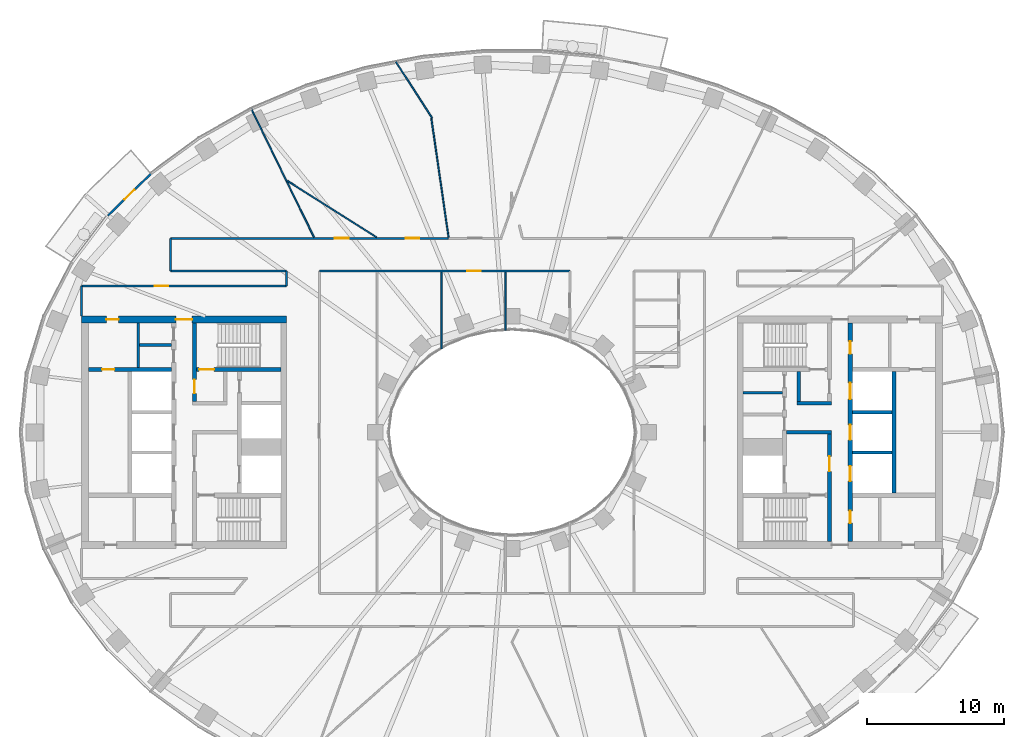
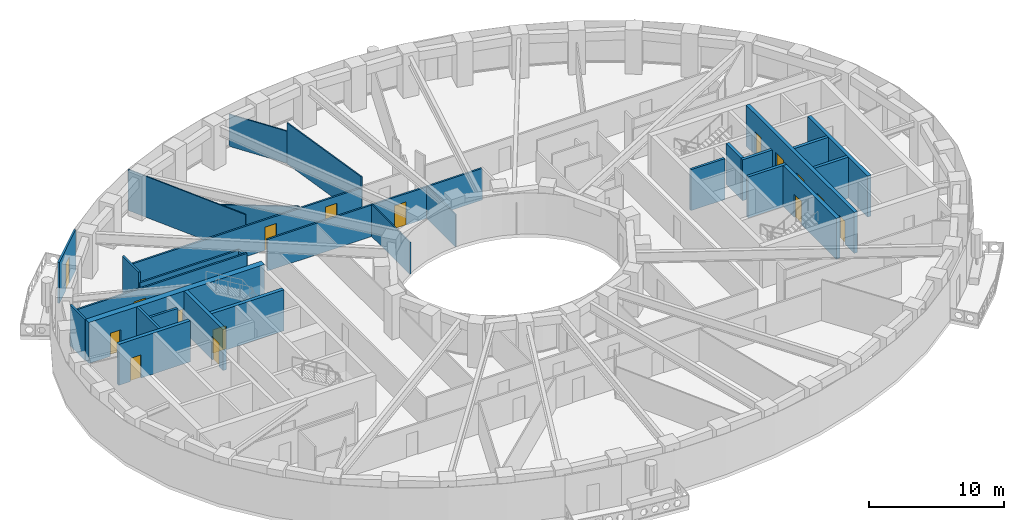
# One storey, part 5 of 16: 29 walls, 16 doors, 16 openings.
"""IFC4 building model written with IfcOpenShell, lengths in metres."""

import ifcopenshell
import ifcopenshell.guid

model = None  # the IFC model being written
_history = None  # IfcOwnerHistory: only IFC2X3 demands one
_inside = {}  # id of a spatial element -> (the spatial element, [elements in it])
_under = {}  # id of a project, library or spatial element -> (it, [spatial elements below it])
_declared = {}  # id of a project -> (the project, [libraries it declares])
_typed = {}  # id of a type object -> (the type object, [elements of that type])
_made_of = {}  # id of a material, layer set ... -> (it, [elements and type objects made of it])


def new_model(schema):
    """Start an empty IFC model of exactly this schema.

    Asked for "IFC4X3", IfcOpenShell would pick the latest addendum, in which some entities
    have other attributes; the version numbers below select the first issue.
    IFC2X3 requires an IfcOwnerHistory on every rooted entity: one is made here for all.
    """
    global model, _history
    if schema == "IFC4X3":
        model = ifcopenshell.file(schema_version=(4, 3, 0, 0))
    else:
        model = ifcopenshell.file(schema=schema)
    _inside.clear()
    _under.clear()
    _declared.clear()
    _typed.clear()
    _made_of.clear()
    _history = None
    if model.schema == "IFC2X3":
        org = make("IfcOrganization", Name="unknown")
        user = make(
            "IfcPersonAndOrganization",
            ThePerson=make("IfcPerson", FamilyName="unknown"),
            TheOrganization=org,
        )
        app = make(
            "IfcApplication",
            ApplicationDeveloper=org,
            Version="unknown",
            ApplicationFullName="unknown",
            ApplicationIdentifier="unknown",
        )
        _history = make(
            "IfcOwnerHistory",
            OwningUser=user,
            OwningApplication=app,
            ChangeAction="ADDED",
            CreationDate=0,
        )
    return model


def make(cls, **values):
    """One entity of the class cls with the attributes given. An attribute that is None is left unset."""
    return model.create_entity(
        cls, **{name: value for name, value in values.items() if value is not None}
    )


def rooted(cls, **values):
    """An entity with a GlobalId (a new one), such as an element, a storey or a relation."""
    return make(cls, GlobalId=ifcopenshell.guid.new(), OwnerHistory=_history, **values)


def si_unit(unit_type, name, prefix=None):
    """IfcSIUnit, for example si_unit("LENGTHUNIT", "METRE", prefix="MILLI")."""
    return make("IfcSIUnit", UnitType=unit_type, Prefix=prefix, Name=name)


def assignment(units):
    """IfcUnitAssignment: the units of a project."""
    return None if units is None else make("IfcUnitAssignment", Units=units)


def point(xyz):
    """IfcCartesianPoint."""
    return None if xyz is None else make("IfcCartesianPoint", Coordinates=xyz)


def direction(xyz):
    """IfcDirection."""
    return None if xyz is None else make("IfcDirection", DirectionRatios=xyz)


def frame(location, z_axis=None, x_axis=None):
    """IfcAxis2Placement3D, a coordinate frame: its origin and axes. An axis left out is left unset."""
    return make(
        "IfcAxis2Placement3D",
        Location=point(location),
        Axis=direction(z_axis),
        RefDirection=direction(x_axis),
    )


def frame_2d(location, x_axis=None):
    """IfcAxis2Placement2D, a coordinate frame in the plane: its origin and x axis."""
    return make(
        "IfcAxis2Placement2D", Location=point(location), RefDirection=direction(x_axis)
    )


def origin():
    """The frame at (0, 0, 0) with its axes left unset."""
    return frame((0.0, 0.0, 0.0))


def place(relative_to, where):
    """IfcLocalPlacement: puts the frame where relative to a parent placement (None: the world)."""
    return make(
        "IfcLocalPlacement", PlacementRelTo=relative_to, RelativePlacement=where
    )


def context(
    kind, dimensions, precision=None, world=None, true_north=None, identifier=None
):
    """IfcGeometricRepresentationContext, for example the 3D "Model" context."""
    return make(
        "IfcGeometricRepresentationContext",
        ContextIdentifier=identifier,
        ContextType=kind,
        CoordinateSpaceDimension=dimensions,
        Precision=precision,
        WorldCoordinateSystem=world,
        TrueNorth=true_north,
    )


def subcontext(parent, identifier, kind, view, scale=None):
    """IfcGeometricRepresentationSubContext, for example "Body" below "Model"."""
    return make(
        "IfcGeometricRepresentationSubContext",
        ContextIdentifier=identifier,
        ContextType=kind,
        ParentContext=parent,
        TargetScale=scale,
        TargetView=view,
    )


def project(units=None, contexts=None):
    """IfcProject with its units and contexts."""
    return rooted(
        "IfcProject",
        Name="project",
        RepresentationContexts=contexts,
        UnitsInContext=assignment(units),
    )


def spatial(cls, under=None, at=None, **own):
    """A site, building, storey or space (cls), placed at a placement, below another one or the project."""
    s = rooted(cls, ObjectPlacement=at, **own)
    if under is not None:
        _under.setdefault(under.id(), (under, []))[1].append(s)
    return s


def profile(cls, at=None, kind="AREA", **sizes):
    """A parametric profile (cls). Its sizes go by their IFC names, for example OverallWidth=200.0."""
    return make(cls, ProfileType=kind, Position=at, **sizes)


def rectangle(**sizes):
    """IfcRectangleProfileDef."""
    return profile("IfcRectangleProfileDef", **sizes)


def extrude(swept, where, along, depth):
    """IfcExtrudedAreaSolid: the profile swept, set in the frame where, extruded along a direction by depth."""
    return make(
        "IfcExtrudedAreaSolid",
        SweptArea=swept,
        Position=where,
        ExtrudedDirection=direction(along),
        Depth=depth,
    )


def shape(context_of_items, identifier, shape_type, items):
    """IfcShapeRepresentation: the items that make up one representation, for example the "Body"."""
    return make(
        "IfcShapeRepresentation",
        ContextOfItems=context_of_items,
        RepresentationIdentifier=identifier,
        RepresentationType=shape_type,
        Items=items,
    )


def material(Name=None, Category=None):
    """IfcMaterial."""
    return make("IfcMaterial", Name=Name, Category=Category)


def layer(
    of_material, thickness, ventilated=None, Name=None, Category=None, Priority=None
):
    """IfcMaterialLayer: one layer of a wall or slab, of a material (None: an air gap)."""
    return make(
        "IfcMaterialLayer",
        Material=of_material,
        LayerThickness=thickness,
        IsVentilated=ventilated,
        Name=Name,
        Category=Category,
        Priority=Priority,
    )


def layer_set(layers, Name=None):
    """IfcMaterialLayerSet."""
    return make("IfcMaterialLayerSet", MaterialLayers=layers, LayerSetName=Name)


def made_of(thing, what):
    """Note that an element or type object is made of a material, layer set ...; save() writes the relation."""
    if what is not None:
        _made_of.setdefault(what.id(), (what, []))[1].append(thing)
    return thing


def type_object(cls, material=None, **own):
    """A type object (cls), such as IfcWallType, which elements share."""
    return made_of(rooted(cls, **own), material)


def element(
    cls,
    number,
    at=None,
    inside=None,
    cuts=None,
    type_object=None,
    material=None,
    context=None,
    identifier="Body",
    shape_type=None,
    held_by="IfcProductDefinitionShape",
    body=None,
    shapes=None,
    **own,
):
    """One element of the class cls, such as IfcWall. Its Tag is "e" and its number.

    at: its placement. inside: the storey or other place that contains it. cuts: it is an
    opening in that element (IfcRelVoidsElement). A single representation is given by context,
    identifier, shape_type and body (its items); several are given by shapes. held_by: the class
    of the entity that holds the representations. save() writes the other relations.
    """
    e = rooted(cls, Tag="e%d" % number, ObjectPlacement=at, **own)
    if body is not None:
        shapes = [shape(context, identifier, shape_type, body)]
    if shapes is not None:
        e.Representation = make(held_by, Representations=shapes)
    if inside is not None:
        _inside.setdefault(inside.id(), (inside, []))[1].append(e)
    if cuts is not None:
        rooted(
            "IfcRelVoidsElement", RelatingBuildingElement=cuts, RelatedOpeningElement=e
        )
    if type_object is not None:
        _typed.setdefault(type_object.id(), (type_object, []))[1].append(e)
    return made_of(e, material)


def fill(opening, filler):
    """IfcRelFillsElement: the door or window that sits in an opening."""
    return rooted(
        "IfcRelFillsElement",
        RelatingOpeningElement=opening,
        RelatedBuildingElement=filler,
    )


def aggregate(whole, parts):
    """IfcRelAggregates: a whole, such as a stair, and the parts it consists of."""
    return rooted("IfcRelAggregates", RelatingObject=whole, RelatedObjects=parts)


def save(model, path):
    """Write the relations noted so far, then the file.

    IfcRelAggregates (storeys below a building ...), IfcRelContainedInSpatialStructure (elements
    in a storey), IfcRelDefinesByType, IfcRelAssociatesMaterial and IfcRelDeclares: one each for
    every whole, place, type object, material and project.
    """
    for whole, parts in _under.values():
        aggregate(whole, parts)
    for where, things in _inside.values():
        rooted(
            "IfcRelContainedInSpatialStructure",
            RelatedElements=things,
            RelatingStructure=where,
        )
    for kind, things in _typed.values():
        rooted("IfcRelDefinesByType", RelatedObjects=things, RelatingType=kind)
    for what, things in _made_of.values():
        rooted("IfcRelAssociatesMaterial", RelatedObjects=things, RelatingMaterial=what)
    for by, libraries in _declared.values():
        rooted("IfcRelDeclares", RelatingContext=by, RelatedDefinitions=libraries)
    model.write(path)


model = new_model("IFC4")

# Units and contexts
model_context = context("Model", 3, precision=1e-05, world=origin(), true_north=direction((0.0, 1.0)))
body_context = subcontext(model_context, "Body", "Model", "MODEL_VIEW")
ifc_project = project(units=[si_unit("LENGTHUNIT", "METRE"), si_unit("AREAUNIT", "SQUARE_METRE"), si_unit("VOLUMEUNIT", "CUBIC_METRE"), si_unit("PLANEANGLEUNIT", "RADIAN"), si_unit("MASSUNIT", "GRAM", prefix="KILO")], contexts=[model_context])

# Site, building, storey
site_placement = place(None, origin())
site = spatial("IfcSite", under=ifc_project, at=site_placement, CompositionType="ELEMENT")
building_placement = place(site_placement, origin())
building = spatial("IfcBuilding", under=site, at=building_placement, Name="Noorbagh Ring Tower", CompositionType="ELEMENT")
storey_placement = place(building_placement, frame((0.0, 0.0, 124.0)))
storey = spatial("IfcBuildingStorey", under=building, at=storey_placement, Name="L28", CompositionType="ELEMENT", Elevation=124.0)

# Walls
ifc_material_1 = material(Name="Gypsum board on steel studs", Category="steel")
ifc_layer_1 = layer(ifc_material_1, 0.199951171875)
ifc_layer_set_1 = layer_set([ifc_layer_1], Name="Gypsum board on steel studs")
wall_type_1 = type_object("IfcWallType", Name="CORE-PARTITION-200", PredefinedType="PARTITIONING", material=ifc_layer_set_1)
wall_1_placement = place(storey_placement, frame((-27.35009765625, 4.75, 0.0), z_axis=(0.0, 0.0, 1.0), x_axis=(0.0, 1.0, 0.0)))
element("IfcWall", 1, at=wall_1_placement, inside=storey, type_object=wall_type_1, Name="Core partition W", PredefinedType="PARTITIONING", context=body_context, shape_type="SweptSolid", body=[
    extrude(rectangle(XDim=3.25, YDim=0.199951171875, at=frame_2d((1.625, 0.0))), origin(), (0.0, 0.0, 1.0), 3.699951171875),
])
wall_2_placement = place(storey_placement, frame((-24.89990234375, 6.39990234375, 0.0), z_axis=(0.0, 0.0, 1.0), x_axis=(-1.0, 0.0, 0.0)))
element("IfcWall", 2, at=wall_2_placement, inside=storey, type_object=wall_type_1, Name="Core partition W", PredefinedType="PARTITIONING", context=body_context, shape_type="SweptSolid", body=[
    extrude(rectangle(XDim=2.35009765625, YDim=0.199951171875, at=frame_2d((1.175048828125, 0.0))), origin(), (0.0, 0.0, 1.0), 3.699951171875),
])
wall_3_placement = place(storey_placement, frame((16.89990234375, 2.89990234375, 0.0), z_axis=(0.0, 0.0, 1.0), x_axis=(1.0, 0.0, 0.0)))
element("IfcWall", 3, at=wall_3_placement, inside=storey, type_object=wall_type_1, Name="Core partition E", PredefinedType="PARTITIONING", context=body_context, shape_type="SweptSolid", body=[
    extrude(rectangle(XDim=2.900146484375, YDim=0.199951171875, at=frame_2d((1.4501953125, 0.0))), origin(), (0.0, 0.0, 1.0), 3.699951171875),
])
ifc_material_2 = material(Name="Concrete C70/85", Category="concrete")
ifc_layer_2 = layer(ifc_material_2, 0.25)
ifc_layer_set_2 = layer_set([ifc_layer_2], Name="Concrete C70/85")
wall_type_2 = type_object("IfcWallType", Name="CORE-WALL-250-C70-85-EI120", PredefinedType="SHEAR", material=ifc_layer_set_2)
for number, where, z_axis, x_axis, name in (
    (4, (24.89990234375, -1.47509765625, 0.0), (0.0, 0.0, 1.0), (1.0, 0.0, 0.0), "Core wall E"),
    (5, (24.89990234375, 1.47509765625, 0.0), (0.0, 0.0, 1.0), (1.0, 0.0, 0.0), "Core wall E"),
):
    element("IfcWall", number, at=place(storey_placement, frame(where, z_axis=z_axis, x_axis=x_axis)), inside=storey, type_object=wall_type_2, Name=name, PredefinedType="SHEAR", context=body_context, shape_type="SweptSolid", body=[
        extrude(rectangle(XDim=2.900146484375, YDim=0.25, at=frame_2d((1.4501953125, 0.0))), origin(), (0.0, 0.0, 1.0), 3.699951171875),
    ])
ifc_material_3 = material(Name="Concrete C70/85", Category="concrete")
ifc_layer_3 = layer(ifc_material_3, 0.25)
ifc_layer_set_3 = layer_set([ifc_layer_3], Name="Concrete C70/85")
wall_type_3 = type_object("IfcWallType", Name="CORE-WALL-250-C70-85-EI240", PredefinedType="SHEAR", material=ifc_layer_set_3)
wall_4_placement = place(storey_placement, frame((20.10009765625, 0.0, 0.0), z_axis=(0.0, 0.0, 1.0), x_axis=(1.0, 0.0, 0.0)))
element("IfcWall", 6, at=wall_4_placement, inside=storey, type_object=wall_type_3, Name="Core wall E", PredefinedType="SHEAR", context=body_context, shape_type="SweptSolid", body=[
    extrude(rectangle(XDim=3.27978515625, YDim=0.25, at=frame_2d((1.639892578125, 0.0))), origin(), (0.0, 0.0, 1.0), 3.699951171875),
])
wall_5_placement = place(storey_placement, frame((20.85009765625, 2.125, 0.0), z_axis=(0.0, 0.0, 1.0), x_axis=(1.0, 0.0, 0.0)))
element("IfcWall", 7, at=wall_5_placement, inside=storey, type_object=wall_type_3, Name="Core wall E", PredefinedType="SHEAR", context=body_context, shape_type="SweptSolid", body=[
    extrude(rectangle(XDim=2.52978515625, YDim=0.25, at=frame_2d((1.264892578125, 0.0))), origin(), (0.0, 0.0, 1.0), 3.699951171875),
])
wall_6_placement = place(storey_placement, frame((20.97509765625, 2.25, 0.0), z_axis=(0.0, 0.0, 1.0), x_axis=(0.0, 1.0, 0.0)))
element("IfcWall", 8, at=wall_6_placement, inside=storey, type_object=wall_type_3, Name="Core wall E", PredefinedType="SHEAR", context=body_context, shape_type="SweptSolid", body=[
    extrude(rectangle(XDim=2.199951171875, YDim=0.25, at=frame_2d((1.10009765625, 0.0))), origin(), (0.0, 0.0, 1.0), 3.699951171875),
])
ifc_material_4 = material(Name="Concrete C70/85", Category="concrete")
ifc_layer_4 = layer(ifc_material_4, 0.300048828125)
ifc_layer_set_4 = layer_set([ifc_layer_4], Name="Concrete C70/85")
wall_type_4 = type_object("IfcWallType", Name="CORE-WALL-300-C70-85-EI120", PredefinedType="SHEAR", material=ifc_layer_set_4)
wall_7_placement = place(storey_placement, frame((27.949951171875, -4.449951171875, 0.0), z_axis=(0.0, 0.0, 1.0), x_axis=(0.0, 1.0, 0.0)))
element("IfcWall", 9, at=wall_7_placement, inside=storey, type_object=wall_type_4, Name="Core wall E", PredefinedType="SHEAR", context=body_context, shape_type="SweptSolid", body=[
    extrude(rectangle(XDim=8.89990234375, YDim=0.300048828125, at=frame_2d((4.449951171875, 0.0))), origin(), (0.0, 0.0, 1.0), 3.699951171875),
])

# Wall, openings, doors
wall_8_placement = place(storey_placement, frame((24.75, -8.0, 0.0), z_axis=(0.0, 0.0, 1.0), x_axis=(0.0, 1.0, 0.0)))
wall_8 = element("IfcWall", 10, at=wall_8_placement, inside=storey, type_object=wall_type_4, Name="Core wall E", PredefinedType="SHEAR", context=body_context, shape_type="SweptSolid", body=[
    extrude(rectangle(XDim=16.0, YDim=0.300048828125, at=frame_2d((8.0, 0.0))), origin(), (0.0, 0.0, 1.0), 3.699951171875),
])
opening_1_placement = place(wall_8_placement, frame((4.425048828125, 0.0, 0.0)))
opening_1 = element("IfcOpeningElement", 11, at=opening_1_placement, cuts=wall_8, Name="Opening L28-CE02", PredefinedType="OPENING", context=body_context, shape_type="SweptSolid", body=[
    extrude(rectangle(XDim=1.10009765625, YDim=2.10009765625, at=frame_2d((0.550048828125, 1.050048828125))), frame((0.0, 0.16015625, 0.0), z_axis=(0.0, -1.0, 0.0), x_axis=(1.0, 0.0, 0.0)), (0.0, 0.0, 1.0), 0.320068359375),
])
opening_2_placement = place(wall_8_placement, frame((7.449951171875, 0.0, 0.0)))
opening_2 = element("IfcOpeningElement", 12, at=opening_2_placement, cuts=wall_8, Name="Opening L28-CE03", PredefinedType="OPENING", context=body_context, shape_type="SweptSolid", body=[
    extrude(rectangle(XDim=1.10009765625, YDim=2.10009765625, at=frame_2d((0.550048828125, 1.050048828125))), frame((0.0, 0.16015625, 0.0), z_axis=(0.0, -1.0, 0.0), x_axis=(1.0, 0.0, 0.0)), (0.0, 0.0, 1.0), 0.320068359375),
])
opening_3_placement = place(wall_8_placement, frame((10.425048828125, 0.0, 0.0)))
opening_3 = element("IfcOpeningElement", 13, at=opening_3_placement, cuts=wall_8, Name="Opening L28-CE04", PredefinedType="OPENING", context=body_context, shape_type="SweptSolid", body=[
    extrude(rectangle(XDim=1.199951171875, YDim=2.10009765625, at=frame_2d((0.60009765625, 1.050048828125))), frame((0.0, 0.16015625, 0.0), z_axis=(0.0, -1.0, 0.0), x_axis=(1.0, 0.0, 0.0)), (0.0, 0.0, 1.0), 0.320068359375),
])
opening_4_placement = place(wall_8_placement, frame((13.75, 0.0, 0.0)))
opening_4 = element("IfcOpeningElement", 14, at=opening_4_placement, cuts=wall_8, Name="Opening L28-CE14", PredefinedType="OPENING", context=body_context, shape_type="SweptSolid", body=[
    extrude(rectangle(XDim=0.89990234375, YDim=2.10009765625, at=frame_2d((0.449951171875, 1.050048828125))), frame((0.0, 0.16015625, 0.0), z_axis=(0.0, -1.0, 0.0), x_axis=(1.0, 0.0, 0.0)), (0.0, 0.0, 1.0), 0.320068359375),
])
opening_5_placement = place(wall_8_placement, frame((1.35009765625, 0.0, 0.0)))
opening_5 = element("IfcOpeningElement", 15, at=opening_5_placement, cuts=wall_8, Name="Opening L28-CE16", PredefinedType="OPENING", context=body_context, shape_type="SweptSolid", body=[
    extrude(rectangle(XDim=0.89990234375, YDim=2.10009765625, at=frame_2d((0.449951171875, 1.050048828125))), frame((0.0, 0.16015625, 0.0), z_axis=(0.0, -1.0, 0.0), x_axis=(1.0, 0.0, 0.0)), (0.0, 0.0, 1.0), 0.320068359375),
])
ifc_material_5 = material(Name="Steel door leaf", Category="steel")
door_type_1 = type_object("IfcDoorType", Name="CORE-DOOR-DROOM", OperationType="SINGLE_SWING_LEFT", PredefinedType="DOOR", material=ifc_material_5)
door_1_placement = place(opening_4_placement, origin())
door_1 = element("IfcDoor", 16, at=door_1_placement, inside=storey, type_object=door_type_1, Name="Core room door L28-CE14", OperationType="SINGLE_SWING_LEFT", OverallHeight=2.10009765625, OverallWidth=0.89990234375, PredefinedType="DOOR", context=body_context, shape_type="SweptSolid", body=[
    extrude(rectangle(XDim=0.89990234375, YDim=2.10009765625, at=frame_2d((0.449951171875, 1.050048828125))), frame((0.0, 0.02490234375, 0.0), z_axis=(0.0, -1.0, 0.0), x_axis=(1.0, 0.0, 0.0)), (0.0, 0.0, 1.0), 0.050048828125),
])
fill(opening_4, door_1)
door_2_placement = place(opening_5_placement, origin())
door_2 = element("IfcDoor", 17, at=door_2_placement, inside=storey, type_object=door_type_1, Name="Core room door L28-CE16", OperationType="SINGLE_SWING_RIGHT", OverallHeight=2.10009765625, OverallWidth=0.89990234375, PredefinedType="DOOR", context=body_context, shape_type="SweptSolid", body=[
    extrude(rectangle(XDim=0.89990234375, YDim=2.10009765625, at=frame_2d((0.449951171875, 1.050048828125))), frame((0.0, 0.02490234375, 0.0), z_axis=(0.0, -1.0, 0.0), x_axis=(1.0, 0.0, 0.0)), (0.0, 0.0, 1.0), 0.050048828125),
])
fill(opening_5, door_2)
ifc_material_6 = material(Name="Steel door leaf", Category="steel")
door_type_2 = type_object("IfcDoorType", Name="CORE-DOOR-LD", OperationType="DOUBLE_DOOR_SLIDING", PredefinedType="DOOR", material=ifc_material_6)
door_3_placement = place(opening_1_placement, origin())
door_3 = element("IfcDoor", 18, at=door_3_placement, inside=storey, type_object=door_type_2, Name="Landing door LR3 L28-CE02", OperationType="DOUBLE_DOOR_SLIDING", OverallHeight=2.10009765625, OverallWidth=1.10009765625, PredefinedType="DOOR", context=body_context, shape_type="SweptSolid", body=[
    extrude(rectangle(XDim=1.10009765625, YDim=2.10009765625, at=frame_2d((0.550048828125, 1.050048828125))), frame((0.0, 0.02490234375, 0.0), z_axis=(0.0, -1.0, 0.0), x_axis=(1.0, 0.0, 0.0)), (0.0, 0.0, 1.0), 0.050048828125),
])
fill(opening_1, door_3)
door_4_placement = place(opening_2_placement, origin())
door_4 = element("IfcDoor", 19, at=door_4_placement, inside=storey, type_object=door_type_2, Name="Landing door LR4 L28-CE03", OperationType="DOUBLE_DOOR_SLIDING", OverallHeight=2.10009765625, OverallWidth=1.10009765625, PredefinedType="DOOR", context=body_context, shape_type="SweptSolid", body=[
    extrude(rectangle(XDim=1.10009765625, YDim=2.10009765625, at=frame_2d((0.550048828125, 1.050048828125))), frame((0.0, 0.02490234375, 0.0), z_axis=(0.0, -1.0, 0.0), x_axis=(1.0, 0.0, 0.0)), (0.0, 0.0, 1.0), 0.050048828125),
])
fill(opening_2, door_4)
ifc_material_7 = material(Name="Steel door leaf", Category="steel")
door_type_3 = type_object("IfcDoorType", Name="CORE-DOOR-LDW", OperationType="DOUBLE_DOOR_SLIDING", PredefinedType="DOOR", material=ifc_material_7)
door_5_placement = place(opening_3_placement, origin())
door_5 = element("IfcDoor", 20, at=door_5_placement, inside=storey, type_object=door_type_3, Name="Landing door SV2 L28-CE04", OperationType="DOUBLE_DOOR_SLIDING", OverallHeight=2.10009765625, OverallWidth=1.199951171875, PredefinedType="DOOR", context=body_context, shape_type="SweptSolid", body=[
    extrude(rectangle(XDim=1.199951171875, YDim=2.10009765625, at=frame_2d((0.60009765625, 1.050048828125))), frame((0.0, 0.02490234375, 0.0), z_axis=(0.0, -1.0, 0.0), x_axis=(1.0, 0.0, 0.0)), (0.0, 0.0, 1.0), 0.050048828125),
])
fill(opening_3, door_5)

# Wall, opening, door
ifc_material_8 = material(Name="Concrete C70/85", Category="concrete")
ifc_layer_5 = layer(ifc_material_8, 0.300048828125)
ifc_layer_set_5 = layer_set([ifc_layer_5], Name="Concrete C70/85")
wall_type_5 = type_object("IfcWallType", Name="CORE-WALL-300-C70-85-EI240", PredefinedType="SHEAR", material=ifc_layer_set_5)
wall_9_placement = place(storey_placement, frame((-24.89990234375, 4.60009765625, 0.0), z_axis=(0.0, 0.0, 1.0), x_axis=(-1.0, 0.0, 0.0)))
wall_9 = element("IfcWall", 21, at=wall_9_placement, inside=storey, type_object=wall_type_5, Name="Core wall W", PredefinedType="SHEAR", context=body_context, shape_type="SweptSolid", body=[
    extrude(rectangle(XDim=6.10009765625, YDim=0.300048828125, at=frame_2d((3.050048828125, 0.0))), origin(), (0.0, 0.0, 1.0), 3.699951171875),
])
opening_6_placement = place(wall_9_placement, frame((4.199951171875, 0.0, 0.0)))
opening_6 = element("IfcOpeningElement", 22, at=opening_6_placement, cuts=wall_9, Name="Opening L28-CW17", PredefinedType="OPENING", context=body_context, shape_type="SweptSolid", body=[
    extrude(rectangle(XDim=0.89990234375, YDim=2.10009765625, at=frame_2d((0.449951171875, 1.050048828125))), frame((0.0, 0.16015625, 0.0), z_axis=(0.0, -1.0, 0.0), x_axis=(1.0, 0.0, 0.0)), (0.0, 0.0, 1.0), 0.320068359375),
])
door_6_placement = place(opening_6_placement, origin())
door_6 = element("IfcDoor", 23, at=door_6_placement, inside=storey, type_object=door_type_1, Name="Core room door L28-CW17", OperationType="SINGLE_SWING_LEFT", OverallHeight=2.10009765625, OverallWidth=0.89990234375, PredefinedType="DOOR", context=body_context, shape_type="SweptSolid", body=[
    extrude(rectangle(XDim=0.89990234375, YDim=2.10009765625, at=frame_2d((0.449951171875, 1.050048828125))), frame((0.0, 0.02490234375, 0.0), z_axis=(0.0, -1.0, 0.0), x_axis=(1.0, 0.0, 0.0)), (0.0, 0.0, 1.0), 0.050048828125),
])
fill(opening_6, door_6)

wall_10_placement = place(storey_placement, frame((-23.22998046875, 2.25, 0.0), z_axis=(0.0, 0.0, 1.0), x_axis=(0.0, 1.0, 0.0)))
wall_10 = element("IfcWall", 24, at=wall_10_placement, inside=storey, type_object=wall_type_5, Name="Core wall W", PredefinedType="SHEAR", context=body_context, shape_type="SweptSolid", body=[
    extrude(rectangle(XDim=5.75, YDim=0.300048828125, at=frame_2d((2.875, 0.0))), origin(), (0.0, 0.0, 1.0), 3.699951171875),
])
opening_7_placement = place(wall_10_placement, frame((0.60009765625, 0.0, 0.0)))
opening_7 = element("IfcOpeningElement", 25, at=opening_7_placement, cuts=wall_10, Name="Opening L28-CW08", PredefinedType="OPENING", context=body_context, shape_type="SweptSolid", body=[
    extrude(rectangle(XDim=1.0, YDim=2.10009765625, at=frame_2d((0.5, 1.050048828125))), frame((0.0, 0.16015625, 0.0), z_axis=(0.0, -1.0, 0.0), x_axis=(1.0, 0.0, 0.0)), (0.0, 0.0, 1.0), 0.320068359375),
])
ifc_material_9 = material(Name="Steel door leaf", Category="steel")
door_type_4 = type_object("IfcDoorType", Name="CORE-DOOR-DVEST", OperationType="SINGLE_SWING_LEFT", PredefinedType="DOOR", material=ifc_material_9)
door_7_placement = place(opening_7_placement, origin())
door_7 = element("IfcDoor", 26, at=door_7_placement, inside=storey, type_object=door_type_4, Name="Stair vestibule door L28-CW08", OperationType="SINGLE_SWING_LEFT", OverallHeight=2.10009765625, OverallWidth=1.0, PredefinedType="DOOR", context=body_context, shape_type="SweptSolid", body=[
    extrude(rectangle(XDim=1.0, YDim=2.10009765625, at=frame_2d((0.5, 1.050048828125))), frame((0.0, 0.02490234375, 0.0), z_axis=(0.0, -1.0, 0.0), x_axis=(1.0, 0.0, 0.0)), (0.0, 0.0, 1.0), 0.050048828125),
])
fill(opening_7, door_7)

wall_11_placement = place(storey_placement, frame((-16.89990234375, 4.60009765625, 0.0), z_axis=(0.0, 0.0, 1.0), x_axis=(-1.0, 0.0, 0.0)))
wall_11 = element("IfcWall", 27, at=wall_11_placement, inside=storey, type_object=wall_type_5, Name="Core wall W", PredefinedType="SHEAR", context=body_context, shape_type="SweptSolid", body=[
    extrude(rectangle(XDim=6.18017578125, YDim=0.300048828125, at=frame_2d((3.090087890625, 0.0))), origin(), (0.0, 0.0, 1.0), 3.699951171875),
])
opening_8_placement = place(wall_11_placement, frame((4.89990234375, 0.0, 0.0)))
opening_8 = element("IfcOpeningElement", 28, at=opening_8_placement, cuts=wall_11, Name="Opening L28-CW05", PredefinedType="OPENING", context=body_context, shape_type="SweptSolid", body=[
    extrude(rectangle(XDim=1.10009765625, YDim=2.10009765625, at=frame_2d((0.550048828125, 1.050048828125))), frame((0.0, 0.16015625, 0.0), z_axis=(0.0, -1.0, 0.0), x_axis=(1.0, 0.0, 0.0)), (0.0, 0.0, 1.0), 0.320068359375),
])
ifc_material_10 = material(Name="Steel door leaf", Category="steel")
door_type_5 = type_object("IfcDoorType", Name="CORE-DOOR-DSTAIR", OperationType="SINGLE_SWING_LEFT", PredefinedType="DOOR", material=ifc_material_10)
door_8_placement = place(opening_8_placement, origin())
door_8 = element("IfcDoor", 29, at=door_8_placement, inside=storey, type_object=door_type_5, Name="Stair door ST1 L28-CW05", OperationType="SINGLE_SWING_RIGHT", OverallHeight=2.10009765625, OverallWidth=1.10009765625, PredefinedType="DOOR", context=body_context, shape_type="SweptSolid", body=[
    extrude(rectangle(XDim=1.10009765625, YDim=2.10009765625, at=frame_2d((0.550048828125, 1.050048828125))), frame((0.0, 0.02490234375, 0.0), z_axis=(0.0, -1.0, 0.0), x_axis=(1.0, 0.0, 0.0)), (0.0, 0.0, 1.0), 0.050048828125),
])
fill(opening_8, door_8)

wall_12_placement = place(storey_placement, frame((23.22998046875, -8.0, 0.0), z_axis=(0.0, 0.0, 1.0), x_axis=(0.0, 1.0, 0.0)))
wall_12 = element("IfcWall", 30, at=wall_12_placement, inside=storey, type_object=wall_type_5, Name="Core wall E", PredefinedType="SHEAR", context=body_context, shape_type="SweptSolid", body=[
    extrude(rectangle(XDim=7.875, YDim=0.300048828125, at=frame_2d((3.9375, 0.0))), origin(), (0.0, 0.0, 1.0), 3.699951171875),
])
opening_9_placement = place(wall_12_placement, frame((5.14990234375, 0.0, 0.0)))
opening_9 = element("IfcOpeningElement", 31, at=opening_9_placement, cuts=wall_12, Name="Opening L28-CE07", PredefinedType="OPENING", context=body_context, shape_type="SweptSolid", body=[
    extrude(rectangle(XDim=1.10009765625, YDim=2.10009765625, at=frame_2d((0.550048828125, 1.050048828125))), frame((0.0, 0.16015625, 0.0), z_axis=(0.0, -1.0, 0.0), x_axis=(1.0, 0.0, 0.0)), (0.0, 0.0, 1.0), 0.320068359375),
])
ifc_material_11 = material(Name="Steel door leaf", Category="steel")
door_type_6 = type_object("IfcDoorType", Name="CORE-DOOR-DFF", OperationType="SINGLE_SWING_LEFT", PredefinedType="DOOR", material=ifc_material_11)
door_9_placement = place(opening_9_placement, origin())
door_9 = element("IfcDoor", 32, at=door_9_placement, inside=storey, type_object=door_type_6, Name="Firefighting lobby door L28-CE07", OperationType="SINGLE_SWING_RIGHT", OverallHeight=2.10009765625, OverallWidth=1.10009765625, PredefinedType="DOOR", context=body_context, shape_type="SweptSolid", body=[
    extrude(rectangle(XDim=1.10009765625, YDim=2.10009765625, at=frame_2d((0.550048828125, 1.050048828125))), frame((0.0, 0.02490234375, 0.0), z_axis=(0.0, -1.0, 0.0), x_axis=(1.0, 0.0, 0.0)), (0.0, 0.0, 1.0), 0.050048828125),
])
fill(opening_9, door_9)

# Wall, openings, doors
ifc_material_12 = material(Name="Concrete C70/85", Category="concrete")
ifc_layer_6 = layer(ifc_material_12, 0.5)
ifc_layer_set_6 = layer_set([ifc_layer_6], Name="Concrete C70/85")
wall_type_6 = type_object("IfcWallType", Name="CORE-WALL-500-C70-85-EI240", PredefinedType="SHEAR", material=ifc_layer_set_6)
wall_13_placement = place(storey_placement, frame((-16.5, 8.25, 0.0), z_axis=(0.0, 0.0, 1.0), x_axis=(-1.0, 0.0, 0.0)))
wall_13 = element("IfcWall", 33, at=wall_13_placement, inside=storey, type_object=wall_type_6, Name="Core wall W", PredefinedType="SHEAR", context=body_context, shape_type="SweptSolid", body=[
    extrude(rectangle(XDim=15.0, YDim=0.5, at=frame_2d((7.5, 0.0))), origin(), (0.0, 0.0, 1.0), 3.699951171875),
])
opening_10_placement = place(wall_13_placement, frame((6.89990234375, 0.0, 0.0)))
opening_10 = element("IfcOpeningElement", 34, at=opening_10_placement, cuts=wall_13, Name="Opening L28-CW09", PredefinedType="OPENING", context=body_context, shape_type="SweptSolid", body=[
    extrude(rectangle(XDim=1.199951171875, YDim=2.10009765625, at=frame_2d((0.60009765625, 1.050048828125))), frame((0.0, 0.260009765625, 0.0), z_axis=(0.0, -1.0, 0.0), x_axis=(1.0, 0.0, 0.0)), (0.0, 0.0, 1.0), 0.52001953125),
])
opening_11_placement = place(wall_13_placement, frame((12.27490234375, 0.0, 0.0)))
opening_11 = element("IfcOpeningElement", 35, at=opening_11_placement, cuts=wall_13, Name="Opening L28-CW14", PredefinedType="OPENING", context=body_context, shape_type="SweptSolid", body=[
    extrude(rectangle(XDim=0.89990234375, YDim=2.10009765625, at=frame_2d((0.449951171875, 1.050048828125))), frame((0.0, 0.260009765625, 0.0), z_axis=(0.0, -1.0, 0.0), x_axis=(1.0, 0.0, 0.0)), (0.0, 0.0, 1.0), 0.52001953125),
])
door_10_placement = place(opening_11_placement, origin())
door_10 = element("IfcDoor", 36, at=door_10_placement, inside=storey, type_object=door_type_1, Name="Core room door L28-CW14", OperationType="SINGLE_SWING_RIGHT", OverallHeight=2.10009765625, OverallWidth=0.89990234375, PredefinedType="DOOR", context=body_context, shape_type="SweptSolid", body=[
    extrude(rectangle(XDim=0.89990234375, YDim=2.10009765625, at=frame_2d((0.449951171875, 1.050048828125))), frame((0.0, 0.02490234375, 0.0), z_axis=(0.0, -1.0, 0.0), x_axis=(1.0, 0.0, 0.0)), (0.0, 0.0, 1.0), 0.050048828125),
])
fill(opening_11, door_10)
ifc_material_13 = material(Name="Steel door leaf", Category="steel")
door_type_7 = type_object("IfcDoorType", Name="CORE-DOOR-PORT", OperationType="DOUBLE_DOOR_DOUBLE_SWING", PredefinedType="DOOR", material=ifc_material_13)
door_11_placement = place(opening_10_placement, origin())
door_11 = element("IfcDoor", 37, at=door_11_placement, inside=storey, type_object=door_type_7, Name="Core entrance door L28-CW09", OperationType="DOUBLE_DOOR_DOUBLE_SWING", OverallHeight=2.10009765625, OverallWidth=1.199951171875, PredefinedType="DOOR", context=body_context, shape_type="SweptSolid", body=[
    extrude(rectangle(XDim=1.199951171875, YDim=2.10009765625, at=frame_2d((0.60009765625, 1.050048828125))), frame((0.0, 0.02490234375, 0.0), z_axis=(0.0, -1.0, 0.0), x_axis=(1.0, 0.0, 0.0)), (0.0, 0.0, 1.0), 0.050048828125),
])
fill(opening_10, door_11)

# Wall
ifc_material_14 = material(Name="Gypsum board on steel studs", Category="steel")
ifc_layer_7 = layer(ifc_material_14, 0.14990234375)
ifc_layer_set_7 = layer_set([ifc_layer_7], Name="Gypsum board on steel studs")
wall_type_7 = type_object("IfcWallType", Name="CORRIDOR PARTITION 150 EI 30", PredefinedType="PARTITIONING", material=ifc_layer_set_7)
wall_14_placement = place(storey_placement, frame((-31.5, 8.5, 0.0), z_axis=(0.0, 0.0, 1.0), x_axis=(0.0, 1.0, 0.0)))
element("IfcWall", 38, at=wall_14_placement, inside=storey, type_object=wall_type_7, Name="L28/wall/P04", PredefinedType="PARTITIONING", context=body_context, shape_type="SweptSolid", body=[
    extrude(rectangle(XDim=2.199951171875, YDim=0.14990234375, at=frame_2d((1.10009765625, 0.0))), origin(), (0.0, 0.0, 1.0), 3.699951171875),
])

# Wall, opening, door
wall_15_placement = place(storey_placement, frame((-31.5, 10.699951171875, 0.0), z_axis=(0.0, 0.0, 1.0), x_axis=(1.0, 0.0, 0.0)))
wall_15 = element("IfcWall", 39, at=wall_15_placement, inside=storey, type_object=wall_type_7, Name="L28/wall/P05", PredefinedType="PARTITIONING", context=body_context, shape_type="SweptSolid", body=[
    extrude(rectangle(XDim=15.0, YDim=0.14990234375, at=frame_2d((7.5, 0.0))), origin(), (0.0, 0.0, 1.0), 3.10009765625),
])
opening_12_placement = place(wall_15_placement, frame((5.35009765625, 0.0, 0.0)))
opening_12 = element("IfcOpeningElement", 40, at=opening_12_placement, cuts=wall_15, Name="Opening D1", PredefinedType="OPENING", context=body_context, shape_type="SweptSolid", body=[
    extrude(rectangle(XDim=1.0, YDim=2.10009765625, at=frame_2d((0.5, 1.050048828125))), frame((0.0, 0.0849609375, 0.0), z_axis=(0.0, -1.0, 0.0), x_axis=(1.0, 0.0, 0.0)), (0.0, 0.0, 1.0), 0.169921875),
])
ifc_material_15 = material(Name="Timber, painted", Category="wood")
door_type_8 = type_object("IfcDoorType", Name="DOOR 1000 X 2100 FD30", OperationType="SINGLE_SWING_LEFT", PredefinedType="DOOR", material=ifc_material_15)
door_12_placement = place(opening_12_placement, origin())
door_12 = element("IfcDoor", 41, at=door_12_placement, inside=storey, type_object=door_type_8, Name="L28-D06", OperationType="SINGLE_SWING_RIGHT", OverallHeight=2.10009765625, OverallWidth=1.0, PredefinedType="DOOR", context=body_context, shape_type="SweptSolid", body=[
    extrude(rectangle(XDim=1.0, YDim=2.10009765625, at=frame_2d((0.5, 1.050048828125))), frame((0.0, 0.02490234375, 0.0), z_axis=(0.0, -1.0, 0.0), x_axis=(1.0, 0.0, 0.0)), (0.0, 0.0, 1.0), 0.050048828125),
])
fill(opening_12, door_12)

# Walls
wall_16_placement = place(storey_placement, frame((-25.0, 11.800048828125, 0.0), z_axis=(0.0, 0.0, 1.0), x_axis=(0.0, 1.0, 0.0)))
element("IfcWall", 42, at=wall_16_placement, inside=storey, type_object=wall_type_7, Name="L28/wall/P10", PredefinedType="PARTITIONING", context=body_context, shape_type="SweptSolid", body=[
    extrude(rectangle(XDim=2.39990234375, YDim=0.14990234375, at=frame_2d((1.199951171875, 0.0))), origin(), (0.0, 0.0, 1.0), 3.699951171875),
])
wall_17_placement = place(storey_placement, frame((-25.0, 11.800048828125, 0.0), z_axis=(0.0, 0.0, 1.0), x_axis=(1.0, 0.0, 0.0)))
element("IfcWall", 43, at=wall_17_placement, inside=storey, type_object=wall_type_7, Name="L28/wall/P11", PredefinedType="PARTITIONING", context=body_context, shape_type="SweptSolid", body=[
    extrude(rectangle(XDim=8.5, YDim=0.14990234375, at=frame_2d((4.25, 0.0))), origin(), (0.0, 0.0, 1.0), 2.75),
])

# Wall, openings, doors
wall_18_placement = place(storey_placement, frame((-25.0, 14.199951171875, 0.0), z_axis=(0.0, 0.0, 1.0), x_axis=(1.0, 0.0, 0.0)))
wall_18 = element("IfcWall", 44, at=wall_18_placement, inside=storey, type_object=wall_type_7, Name="L28/wall/P12", PredefinedType="PARTITIONING", context=body_context, shape_type="SweptSolid", body=[
    extrude(rectangle(XDim=20.347900390625, YDim=0.14990234375, at=frame_2d((10.173828125, 0.0))), origin(), (0.0, 0.0, 1.0), 2.75),
])
opening_13_placement = place(wall_18_placement, frame((17.218017578125, 0.0, 0.0)))
opening_13 = element("IfcOpeningElement", 45, at=opening_13_placement, cuts=wall_18, Name="Opening D1", PredefinedType="OPENING", context=body_context, shape_type="SweptSolid", body=[
    extrude(rectangle(XDim=1.0, YDim=2.10009765625, at=frame_2d((0.5, 1.050048828125))), frame((0.0, 0.0849609375, 0.0), z_axis=(0.0, -1.0, 0.0), x_axis=(1.0, 0.0, 0.0)), (0.0, 0.0, 1.0), 0.169921875),
])
opening_14_placement = place(wall_18_placement, frame((12.048095703125, 0.0, 0.0)))
opening_14 = element("IfcOpeningElement", 46, at=opening_14_placement, cuts=wall_18, Name="Opening D1", PredefinedType="OPENING", context=body_context, shape_type="SweptSolid", body=[
    extrude(rectangle(XDim=1.0, YDim=2.10009765625, at=frame_2d((0.5, 1.050048828125))), frame((0.0, 0.0849609375, 0.0), z_axis=(0.0, -1.0, 0.0), x_axis=(1.0, 0.0, 0.0)), (0.0, 0.0, 1.0), 0.169921875),
])
door_13_placement = place(opening_13_placement, origin())
door_13 = element("IfcDoor", 47, at=door_13_placement, inside=storey, type_object=door_type_8, Name="L28-D09", OperationType="SINGLE_SWING_LEFT", OverallHeight=2.10009765625, OverallWidth=1.0, PredefinedType="DOOR", context=body_context, shape_type="SweptSolid", body=[
    extrude(rectangle(XDim=1.0, YDim=2.10009765625, at=frame_2d((0.5, 1.050048828125))), frame((0.0, 0.02490234375, 0.0), z_axis=(0.0, -1.0, 0.0), x_axis=(1.0, 0.0, 0.0)), (0.0, 0.0, 1.0), 0.050048828125),
])
fill(opening_13, door_13)
door_14_placement = place(opening_14_placement, origin())
door_14 = element("IfcDoor", 48, at=door_14_placement, inside=storey, type_object=door_type_8, Name="L28-D10", OperationType="SINGLE_SWING_RIGHT", OverallHeight=2.10009765625, OverallWidth=1.0, PredefinedType="DOOR", context=body_context, shape_type="SweptSolid", body=[
    extrude(rectangle(XDim=1.0, YDim=2.10009765625, at=frame_2d((0.5, 1.050048828125))), frame((0.0, 0.02490234375, 0.0), z_axis=(0.0, -1.0, 0.0), x_axis=(1.0, 0.0, 0.0)), (0.0, 0.0, 1.0), 0.050048828125),
])
fill(opening_14, door_14)

# Wall
wall_19_placement = place(storey_placement, frame((-16.5, 10.699951171875, 0.0), z_axis=(0.0, 0.0, 1.0), x_axis=(0.0, 1.0, 0.0)))
element("IfcWall", 49, at=wall_19_placement, inside=storey, type_object=wall_type_7, Name="L28/wall/P16", PredefinedType="PARTITIONING", context=body_context, shape_type="SweptSolid", body=[
    extrude(rectangle(XDim=1.10009765625, YDim=0.14990234375, at=frame_2d((0.550048828125, 0.0))), origin(), (0.0, 0.0, 1.0), 2.75),
])

# Wall, opening, door
wall_20_placement = place(storey_placement, frame((-14.10009765625, 11.800048828125, 0.0), z_axis=(0.0, 0.0, 1.0), x_axis=(1.0, 0.0, 0.0)))
wall_20 = element("IfcWall", 50, at=wall_20_placement, inside=storey, type_object=wall_type_7, Name="L28/wall/P20", PredefinedType="PARTITIONING", context=body_context, shape_type="SweptSolid", body=[
    extrude(rectangle(XDim=18.330078125, YDim=0.14990234375, at=frame_2d((9.1650390625, 0.0))), origin(), (0.0, 0.0, 1.0), 2.85009765625),
])
opening_15_placement = place(wall_20_placement, frame((10.830078125, 0.0, 0.0)))
opening_15 = element("IfcOpeningElement", 51, at=opening_15_placement, cuts=wall_20, Name="Opening D1", PredefinedType="OPENING", context=body_context, shape_type="SweptSolid", body=[
    extrude(rectangle(XDim=1.0, YDim=2.10009765625, at=frame_2d((0.5, 1.050048828125))), frame((0.0, 0.0849609375, 0.0), z_axis=(0.0, -1.0, 0.0), x_axis=(1.0, 0.0, 0.0)), (0.0, 0.0, 1.0), 0.169921875),
])
door_15_placement = place(opening_15_placement, origin())
door_15 = element("IfcDoor", 52, at=door_15_placement, inside=storey, type_object=door_type_8, Name="L28-D25", OperationType="SINGLE_SWING_LEFT", OverallHeight=2.10009765625, OverallWidth=1.0, PredefinedType="DOOR", context=body_context, shape_type="SweptSolid", body=[
    extrude(rectangle(XDim=1.0, YDim=2.10009765625, at=frame_2d((0.5, 1.050048828125))), frame((0.0, 0.02490234375, 0.0), z_axis=(0.0, -1.0, 0.0), x_axis=(1.0, 0.0, 0.0)), (0.0, 0.0, 1.0), 0.050048828125),
])
fill(opening_15, door_15)

ifc_material_16 = material(Name="Insulated aluminium clad panel", Category="aluminium")
ifc_layer_8 = layer(ifc_material_16, 0.14990234375)
ifc_layer_set_8 = layer_set([ifc_layer_8], Name="Insulated aluminium clad panel")
wall_type_8 = type_object("IfcWallType", Name="ENV-WALL-DOOR", PredefinedType="STANDARD", material=ifc_layer_set_8)
wall_21_placement = place(storey_placement, frame((-26.396484375, 18.943359375, 0.0), z_axis=(0.0, 0.0, 1.0), x_axis=(-0.717214761864, -0.696852197647, 0.0)))
wall_21 = element("IfcWall", 53, at=wall_21_placement, inside=storey, type_object=wall_type_8, Name="Balcony door wall chord 19", PredefinedType="STANDARD", context=body_context, shape_type="SweptSolid", body=[
    extrude(rectangle(XDim=4.424072265625, YDim=0.14990234375, at=frame_2d((2.2119140625, 0.0))), origin(), (0.0, 0.0, 1.0), 3.699951171875),
])
opening_16_placement = place(wall_21_placement, frame((1.712158203125, 0.0, 0.0)))
opening_16 = element("IfcOpeningElement", 54, at=opening_16_placement, cuts=wall_21, Name="Opening D-BL", PredefinedType="OPENING", context=body_context, shape_type="SweptSolid", body=[
    extrude(rectangle(XDim=1.0, YDim=2.39990234375, at=frame_2d((0.5, 1.199951171875))), frame((0.0, 0.0849609375, 0.0), z_axis=(0.0, -1.0, 0.0), x_axis=(1.0, 0.0, 0.0)), (0.0, 0.0, 1.0), 0.169921875),
])
ifc_material_17 = material(Name="Aluminium and glass", Category="aluminium")
door_type_9 = type_object("IfcDoorType", Name="ENV-DOOR-BALCONY", OperationType="SINGLE_SWING_LEFT", PredefinedType="DOOR", material=ifc_material_17)
door_16_placement = place(opening_16_placement, origin())
door_16 = element("IfcDoor", 55, at=door_16_placement, inside=storey, type_object=door_type_9, Name="Balcony door chord 19", OperationType="SINGLE_SWING_LEFT", OverallHeight=2.39990234375, OverallWidth=1.0, PredefinedType="DOOR", context=body_context, shape_type="SweptSolid", body=[
    extrude(rectangle(XDim=1.0, YDim=2.39990234375, at=frame_2d((0.5, 1.199951171875))), frame((0.0, 0.02490234375, 0.0), z_axis=(0.0, -1.0, 0.0), x_axis=(1.0, 0.0, 0.0)), (0.0, 0.0, 1.0), 0.050048828125),
])
fill(opening_16, door_16)

# Walls
ifc_material_18 = material(Name="Gypsum board on steel studs", Category="steel")
ifc_layer_9 = layer(ifc_material_18, 0.10009765625)
ifc_layer_set_9 = layer_set([ifc_layer_9], Name="Gypsum board on steel studs")
wall_type_9 = type_object("IfcWallType", Name="PARTITION 100 GYPSUM", PredefinedType="PARTITIONING", material=ifc_layer_set_9)
wall_22_placement = place(storey_placement, frame((-19.0859375, 23.68505859375, 0.0), z_axis=(0.0, 0.0, 1.0), x_axis=(0.439164543904, -0.898406647002, 0.0)))
element("IfcWall", 56, at=wall_22_placement, inside=storey, type_object=wall_type_9, Name="L28/wall/P14", PredefinedType="PARTITIONING", context=body_context, shape_type="SweptSolid", body=[
    extrude(rectangle(XDim=10.4697265625, YDim=0.10009765625, at=frame_2d((5.23486328125, 0.0))), origin(), (0.0, 0.0, 1.0), 3.699951171875),
])
wall_23_placement = place(storey_placement, frame((-16.451904296875, 18.412109375, 0.0), z_axis=(0.0, 0.0, 1.0), x_axis=(0.844813363526, -0.535061100069, 0.0)))
element("IfcWall", 57, at=wall_23_placement, inside=storey, type_object=wall_type_9, Name="L28/wall/P15", PredefinedType="PARTITIONING", context=body_context, shape_type="SweptSolid", body=[
    extrude(rectangle(XDim=7.72802734375, YDim=0.10009765625, at=frame_2d((3.864013671875, 0.0))), origin(), (0.0, 0.0, 1.0), 2.85009765625),
])
wall_24_placement = place(storey_placement, frame((-8.490966796875, 27.10400390625, 0.0), z_axis=(0.0, 0.0, 1.0), x_axis=(0.542285995048, -0.840193965448, 0.0)))
element("IfcWall", 58, at=wall_24_placement, inside=storey, type_object=wall_type_9, Name="L28/wall/P24", PredefinedType="PARTITIONING", context=body_context, shape_type="SweptSolid", body=[
    extrude(rectangle(XDim=4.857177734375, YDim=0.10009765625, at=frame_2d((2.4287109375, 0.0))), origin(), (0.0, 0.0, 1.0), 2.89990234375),
])
wall_25_placement = place(storey_placement, frame((-5.905029296875, 23.0048828125, 0.0), z_axis=(0.0, 0.0, 1.0), x_axis=(0.14308471533, -0.989710444645, 0.0)))
element("IfcWall", 59, at=wall_25_placement, inside=storey, type_object=wall_type_9, Name="L28/wall/P25", PredefinedType="PARTITIONING", context=body_context, shape_type="SweptSolid", body=[
    extrude(rectangle(XDim=8.896484375, YDim=0.10009765625, at=frame_2d((4.4482421875, 0.0))), origin(), (0.0, 0.0, 1.0), 3.699951171875),
])
wall_26_placement = place(storey_placement, frame((-5.169921875, 6.10498046875, 0.0), z_axis=(0.0, 0.0, 1.0), x_axis=(0.0, 1.0, 0.0)))
element("IfcWall", 60, at=wall_26_placement, inside=storey, type_object=wall_type_9, Name="L28/wall/P27", PredefinedType="PARTITIONING", context=body_context, shape_type="SweptSolid", body=[
    extrude(rectangle(XDim=5.6201171875, YDim=0.10009765625, at=frame_2d((2.81005859375, 0.0))), origin(), (0.0, 0.0, 1.0), 2.89990234375),
])
wall_27_placement = place(storey_placement, frame((-0.469970703125, 7.468994140625, 0.0), z_axis=(0.0, 0.0, 1.0), x_axis=(0.0, 1.0, 0.0)))
element("IfcWall", 61, at=wall_27_placement, inside=storey, type_object=wall_type_9, Name="L28/wall/P32", PredefinedType="PARTITIONING", context=body_context, shape_type="SweptSolid", body=[
    extrude(rectangle(XDim=4.256103515625, YDim=0.10009765625, at=frame_2d((2.1279296875, 0.0))), origin(), (0.0, 0.0, 1.0), 2.89990234375),
])

save(model, "model.ifc")
